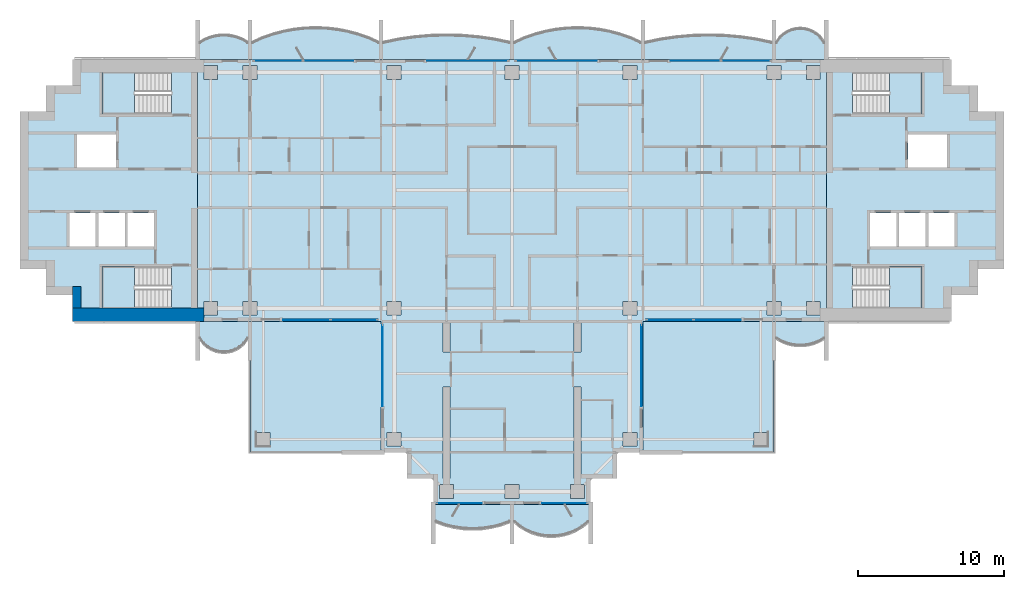
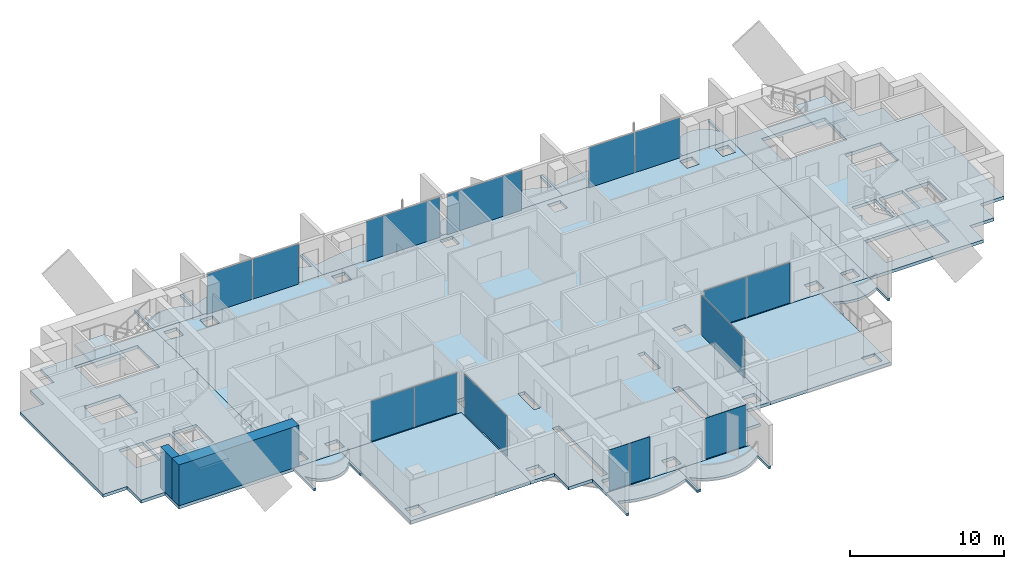
# One storey, part 7 of 17: 19 slabs, 14 plates, 2 walls, 14 elements without a shape of their own.
"""IFC4 building model written with IfcOpenShell, lengths in metres."""

import ifcopenshell
import ifcopenshell.guid

model = None  # the IFC model being written
_history = None  # IfcOwnerHistory: only IFC2X3 demands one
_inside = {}  # id of a spatial element -> (the spatial element, [elements in it])
_under = {}  # id of a project, library or spatial element -> (it, [spatial elements below it])
_declared = {}  # id of a project -> (the project, [libraries it declares])
_typed = {}  # id of a type object -> (the type object, [elements of that type])
_made_of = {}  # id of a material, layer set ... -> (it, [elements and type objects made of it])


def new_model(schema):
    """Start an empty IFC model of exactly this schema.

    Asked for "IFC4X3", IfcOpenShell would pick the latest addendum, in which some entities
    have other attributes; the version numbers below select the first issue.
    IFC2X3 requires an IfcOwnerHistory on every rooted entity: one is made here for all.
    """
    global model, _history
    if schema == "IFC4X3":
        model = ifcopenshell.file(schema_version=(4, 3, 0, 0))
    else:
        model = ifcopenshell.file(schema=schema)
    _inside.clear()
    _under.clear()
    _declared.clear()
    _typed.clear()
    _made_of.clear()
    _history = None
    if model.schema == "IFC2X3":
        org = make("IfcOrganization", Name="unknown")
        user = make(
            "IfcPersonAndOrganization",
            ThePerson=make("IfcPerson", FamilyName="unknown"),
            TheOrganization=org,
        )
        app = make(
            "IfcApplication",
            ApplicationDeveloper=org,
            Version="unknown",
            ApplicationFullName="unknown",
            ApplicationIdentifier="unknown",
        )
        _history = make(
            "IfcOwnerHistory",
            OwningUser=user,
            OwningApplication=app,
            ChangeAction="ADDED",
            CreationDate=0,
        )
    return model


def make(cls, **values):
    """One entity of the class cls with the attributes given. An attribute that is None is left unset."""
    return model.create_entity(
        cls, **{name: value for name, value in values.items() if value is not None}
    )


def rooted(cls, **values):
    """An entity with a GlobalId (a new one), such as an element, a storey or a relation."""
    return make(cls, GlobalId=ifcopenshell.guid.new(), OwnerHistory=_history, **values)


def si_unit(unit_type, name, prefix=None):
    """IfcSIUnit, for example si_unit("LENGTHUNIT", "METRE", prefix="MILLI")."""
    return make("IfcSIUnit", UnitType=unit_type, Prefix=prefix, Name=name)


def assignment(units):
    """IfcUnitAssignment: the units of a project."""
    return None if units is None else make("IfcUnitAssignment", Units=units)


def point(xyz):
    """IfcCartesianPoint."""
    return None if xyz is None else make("IfcCartesianPoint", Coordinates=xyz)


def direction(xyz):
    """IfcDirection."""
    return None if xyz is None else make("IfcDirection", DirectionRatios=xyz)


def frame(location, z_axis=None, x_axis=None):
    """IfcAxis2Placement3D, a coordinate frame: its origin and axes. An axis left out is left unset."""
    return make(
        "IfcAxis2Placement3D",
        Location=point(location),
        Axis=direction(z_axis),
        RefDirection=direction(x_axis),
    )


def frame_2d(location, x_axis=None):
    """IfcAxis2Placement2D, a coordinate frame in the plane: its origin and x axis."""
    return make(
        "IfcAxis2Placement2D", Location=point(location), RefDirection=direction(x_axis)
    )


def origin():
    """The frame at (0, 0, 0) with its axes left unset."""
    return frame((0.0, 0.0, 0.0))


def origin_2d():
    """The frame at (0, 0) in the plane with its x axis left unset."""
    return frame_2d((0.0, 0.0))


def place(relative_to, where):
    """IfcLocalPlacement: puts the frame where relative to a parent placement (None: the world)."""
    return make(
        "IfcLocalPlacement", PlacementRelTo=relative_to, RelativePlacement=where
    )


def context(
    kind, dimensions, precision=None, world=None, true_north=None, identifier=None
):
    """IfcGeometricRepresentationContext, for example the 3D "Model" context."""
    return make(
        "IfcGeometricRepresentationContext",
        ContextIdentifier=identifier,
        ContextType=kind,
        CoordinateSpaceDimension=dimensions,
        Precision=precision,
        WorldCoordinateSystem=world,
        TrueNorth=true_north,
    )


def subcontext(parent, identifier, kind, view, scale=None):
    """IfcGeometricRepresentationSubContext, for example "Body" below "Model"."""
    return make(
        "IfcGeometricRepresentationSubContext",
        ContextIdentifier=identifier,
        ContextType=kind,
        ParentContext=parent,
        TargetScale=scale,
        TargetView=view,
    )


def project(units=None, contexts=None):
    """IfcProject with its units and contexts."""
    return rooted(
        "IfcProject",
        Name="project",
        RepresentationContexts=contexts,
        UnitsInContext=assignment(units),
    )


def spatial(cls, under=None, at=None, **own):
    """A site, building, storey or space (cls), placed at a placement, below another one or the project."""
    s = rooted(cls, ObjectPlacement=at, **own)
    if under is not None:
        _under.setdefault(under.id(), (under, []))[1].append(s)
    return s


def polyline(points):
    """IfcPolyline through the points."""
    return make("IfcPolyline", Points=[point(p) for p in points])


def profile(cls, at=None, kind="AREA", **sizes):
    """A parametric profile (cls). Its sizes go by their IFC names, for example OverallWidth=200.0."""
    return make(cls, ProfileType=kind, Position=at, **sizes)


def rectangle(**sizes):
    """IfcRectangleProfileDef."""
    return profile("IfcRectangleProfileDef", **sizes)


def outline(outer, holes=None, kind="AREA"):
    """IfcArbitraryClosedProfileDef: a profile drawn as a closed curve; with holes, ...WithVoids."""
    if holes is None:
        return make("IfcArbitraryClosedProfileDef", ProfileType=kind, OuterCurve=outer)
    return make(
        "IfcArbitraryProfileDefWithVoids",
        ProfileType=kind,
        OuterCurve=outer,
        InnerCurves=holes,
    )


def extrude(swept, where, along, depth):
    """IfcExtrudedAreaSolid: the profile swept, set in the frame where, extruded along a direction by depth."""
    return make(
        "IfcExtrudedAreaSolid",
        SweptArea=swept,
        Position=where,
        ExtrudedDirection=direction(along),
        Depth=depth,
    )


def shape(context_of_items, identifier, shape_type, items):
    """IfcShapeRepresentation: the items that make up one representation, for example the "Body"."""
    return make(
        "IfcShapeRepresentation",
        ContextOfItems=context_of_items,
        RepresentationIdentifier=identifier,
        RepresentationType=shape_type,
        Items=items,
    )


def material(Name=None, Category=None):
    """IfcMaterial."""
    return make("IfcMaterial", Name=Name, Category=Category)


def layer(
    of_material, thickness, ventilated=None, Name=None, Category=None, Priority=None
):
    """IfcMaterialLayer: one layer of a wall or slab, of a material (None: an air gap)."""
    return make(
        "IfcMaterialLayer",
        Material=of_material,
        LayerThickness=thickness,
        IsVentilated=ventilated,
        Name=Name,
        Category=Category,
        Priority=Priority,
    )


def layer_set(layers, Name=None):
    """IfcMaterialLayerSet."""
    return make("IfcMaterialLayerSet", MaterialLayers=layers, LayerSetName=Name)


def made_of(thing, what):
    """Note that an element or type object is made of a material, layer set ...; save() writes the relation."""
    if what is not None:
        _made_of.setdefault(what.id(), (what, []))[1].append(thing)
    return thing


def type_object(cls, material=None, **own):
    """A type object (cls), such as IfcWallType, which elements share."""
    return made_of(rooted(cls, **own), material)


def element(
    cls,
    number,
    at=None,
    inside=None,
    cuts=None,
    type_object=None,
    material=None,
    context=None,
    identifier="Body",
    shape_type=None,
    held_by="IfcProductDefinitionShape",
    body=None,
    shapes=None,
    **own,
):
    """One element of the class cls, such as IfcWall. Its Tag is "e" and its number.

    at: its placement. inside: the storey or other place that contains it. cuts: it is an
    opening in that element (IfcRelVoidsElement). A single representation is given by context,
    identifier, shape_type and body (its items); several are given by shapes. held_by: the class
    of the entity that holds the representations. save() writes the other relations.
    """
    e = rooted(cls, Tag="e%d" % number, ObjectPlacement=at, **own)
    if body is not None:
        shapes = [shape(context, identifier, shape_type, body)]
    if shapes is not None:
        e.Representation = make(held_by, Representations=shapes)
    if inside is not None:
        _inside.setdefault(inside.id(), (inside, []))[1].append(e)
    if cuts is not None:
        rooted(
            "IfcRelVoidsElement", RelatingBuildingElement=cuts, RelatedOpeningElement=e
        )
    if type_object is not None:
        _typed.setdefault(type_object.id(), (type_object, []))[1].append(e)
    return made_of(e, material)


def aggregate(whole, parts):
    """IfcRelAggregates: a whole, such as a stair, and the parts it consists of."""
    return rooted("IfcRelAggregates", RelatingObject=whole, RelatedObjects=parts)


def save(model, path):
    """Write the relations noted so far, then the file.

    IfcRelAggregates (storeys below a building ...), IfcRelContainedInSpatialStructure (elements
    in a storey), IfcRelDefinesByType, IfcRelAssociatesMaterial and IfcRelDeclares: one each for
    every whole, place, type object, material and project.
    """
    for whole, parts in _under.values():
        aggregate(whole, parts)
    for where, things in _inside.values():
        rooted(
            "IfcRelContainedInSpatialStructure",
            RelatedElements=things,
            RelatingStructure=where,
        )
    for kind, things in _typed.values():
        rooted("IfcRelDefinesByType", RelatedObjects=things, RelatingType=kind)
    for what, things in _made_of.values():
        rooted("IfcRelAssociatesMaterial", RelatedObjects=things, RelatingMaterial=what)
    for by, libraries in _declared.values():
        rooted("IfcRelDeclares", RelatingContext=by, RelatedDefinitions=libraries)
    model.write(path)


model = new_model("IFC4")

# Units and contexts
model_context = context("Model", 3, precision=1e-05, world=origin(), true_north=direction((0.0, 1.0)))
body_context = subcontext(model_context, "Body", "Model", "MODEL_VIEW")
ifc_project = project(units=[si_unit("LENGTHUNIT", "METRE"), si_unit("AREAUNIT", "SQUARE_METRE"), si_unit("VOLUMEUNIT", "CUBIC_METRE"), si_unit("PLANEANGLEUNIT", "RADIAN"), si_unit("MASSUNIT", "GRAM", prefix="KILO")], contexts=[model_context])

# Site, building, storey
site_placement = place(None, origin())
site = spatial("IfcSite", under=ifc_project, at=site_placement, CompositionType="ELEMENT")
building_placement = place(site_placement, origin())
building = spatial("IfcBuilding", under=site, at=building_placement, Name="Perihelion Cross Residences", CompositionType="ELEMENT")
storey_placement = place(building_placement, frame((0.0, 0.0, 208.60009765625)))
storey = spatial("IfcBuildingStorey", under=building, at=storey_placement, Name="L52", CompositionType="ELEMENT", Elevation=208.60009765625)

# Slabs
ifc_material_1 = material(Name="Concrete C40/50", Category="concrete")
ifc_layer_1 = layer(ifc_material_1, 0.199951171875)
ifc_layer_set_1 = layer_set([ifc_layer_1], Name="Balcony slab 200")
slab_type_1 = type_object("IfcSlabType", Name="Balcony slab 200", PredefinedType="FLOOR", material=ifc_layer_set_1)
slab_1_placement = place(storey_placement, frame((0.0, 0.0, -0.2001953125)))
element("IfcSlab", 1, at=slab_1_placement, inside=storey, type_object=slab_type_1, Name="Slab BK1 L52 east side north bay 1 balcony", PredefinedType="FLOOR", context=body_context, shape_type="SweptSolid", body=[
    extrude(outline(polyline([(21.60009765625, 9.0), (18.0, 9.0), (18.0, 11.699951171875), (18.14990234375, 11.699951171875), (18.14990234375, 10.199951171875), (18.425048828125, 10.568603515625), (18.699951171875, 10.806396484375), (18.97509765625, 10.96875), (19.25, 11.07568359375), (19.52490234375, 11.136962890625), (19.800048828125, 11.156982421875), (20.074951171875, 11.136962890625), (20.35009765625, 11.07568359375), (20.625, 10.96875), (20.89990234375, 10.806396484375), (21.175048828125, 10.568603515625), (21.449951171875, 10.199951171875), (21.449951171875, 11.699951171875), (21.60009765625, 11.699951171875), (21.60009765625, 9.0)])), origin(), (0.0, 0.0, 1.0), 0.2001953125),
])
slab_2_placement = place(storey_placement, frame((0.0, 0.0, -0.2001953125)))
element("IfcSlab", 2, at=slab_2_placement, inside=storey, type_object=slab_type_1, Name="Slab BK1 L52 east side north bay 2 balcony", PredefinedType="FLOOR", context=body_context, shape_type="SweptSolid", body=[
    extrude(outline(polyline([(18.0, 9.0), (9.0, 9.0), (9.0, 11.699951171875), (9.14990234375, 11.699951171875), (9.14990234375, 10.199951171875), (10.237548828125, 10.42041015625), (11.324951171875, 10.576171875), (12.41259765625, 10.669189453125), (13.5, 10.699951171875), (14.58740234375, 10.669189453125), (15.675048828125, 10.576171875), (16.762451171875, 10.42041015625), (17.85009765625, 10.199951171875), (17.85009765625, 11.699951171875), (18.0, 11.699951171875), (18.0, 9.0)])), origin(), (0.0, 0.0, 1.0), 0.2001953125),
])
slab_3_placement = place(storey_placement, frame((0.0, 0.0, -0.2001953125)))
element("IfcSlab", 3, at=slab_3_placement, inside=storey, type_object=slab_type_1, Name="Slab BK1 L52 north side east bay 1 balcony", PredefinedType="FLOOR", context=body_context, shape_type="SweptSolid", body=[
    extrude(outline(polyline([(9.0, 9.0), (0.0, 9.0), (0.0, 11.699951171875), (0.14990234375, 11.699951171875), (0.14990234375, 10.199951171875), (0.875, 10.51708984375), (1.60009765625, 10.7685546875), (2.324951171875, 10.959716796875), (3.050048828125, 11.093994140625), (3.77490234375, 11.173583984375), (4.5, 11.199951171875), (5.22509765625, 11.173583984375), (5.949951171875, 11.093994140625), (6.675048828125, 10.959716796875), (7.39990234375, 10.7685546875), (8.125, 10.51708984375), (8.85009765625, 10.199951171875), (8.85009765625, 11.699951171875), (9.0, 11.699951171875), (9.0, 9.0)])), origin(), (0.0, 0.0, 1.0), 0.2001953125),
])
slab_4_placement = place(storey_placement, frame((0.0, 0.0, -0.2001953125)))
element("IfcSlab", 4, at=slab_4_placement, inside=storey, type_object=slab_type_1, Name="Slab BK1 L52 north side east bay 2 balcony", PredefinedType="FLOOR", context=body_context, shape_type="SweptSolid", body=[
    extrude(outline(polyline([(0.0, 9.0), (-9.0, 9.0), (-9.0, 11.699951171875), (-8.85009765625, 11.699951171875), (-8.85009765625, 10.199951171875), (-7.762451171875, 10.42041015625), (-6.675048828125, 10.576171875), (-5.58740234375, 10.669189453125), (-4.5, 10.699951171875), (-3.41259765625, 10.669189453125), (-2.324951171875, 10.576171875), (-1.237548828125, 10.42041015625), (-0.14990234375, 10.199951171875), (-0.14990234375, 11.699951171875), (0.0, 11.699951171875), (0.0, 9.0)])), origin(), (0.0, 0.0, 1.0), 0.2001953125),
])
slab_5_placement = place(storey_placement, frame((0.0, 0.0, -0.2001953125)))
element("IfcSlab", 5, at=slab_5_placement, inside=storey, type_object=slab_type_1, Name="Slab BK1 L52 west side north bay 1 balcony", PredefinedType="FLOOR", context=body_context, shape_type="SweptSolid", body=[
    extrude(outline(polyline([(-9.0, 9.0), (-18.0, 9.0), (-18.0, 11.699951171875), (-17.85009765625, 11.699951171875), (-17.85009765625, 10.199951171875), (-17.125, 10.51708984375), (-16.39990234375, 10.7685546875), (-15.675048828125, 10.959716796875), (-14.949951171875, 11.093994140625), (-14.22509765625, 11.173583984375), (-13.5, 11.199951171875), (-12.77490234375, 11.173583984375), (-12.050048828125, 11.093994140625), (-11.324951171875, 10.959716796875), (-10.60009765625, 10.7685546875), (-9.875, 10.51708984375), (-9.14990234375, 10.199951171875), (-9.14990234375, 11.699951171875), (-9.0, 11.699951171875), (-9.0, 9.0)])), origin(), (0.0, 0.0, 1.0), 0.2001953125),
])
slab_6_placement = place(storey_placement, frame((0.0, 0.0, -0.2001953125)))
element("IfcSlab", 6, at=slab_6_placement, inside=storey, type_object=slab_type_1, Name="Slab BK1 L52 west side north bay 2 balcony", PredefinedType="FLOOR", context=body_context, shape_type="SweptSolid", body=[
    extrude(outline(polyline([(-18.0, 9.0), (-21.60009765625, 9.0), (-21.60009765625, 11.699951171875), (-21.449951171875, 11.699951171875), (-21.449951171875, 10.199951171875), (-21.083251953125, 10.40869140625), (-20.716552734375, 10.55517578125), (-20.35009765625, 10.648681640625), (-19.9833984375, 10.6943359375), (-19.61669921875, 10.6943359375), (-19.25, 10.648681640625), (-18.88330078125, 10.55517578125), (-18.5166015625, 10.40869140625), (-18.14990234375, 10.199951171875), (-18.14990234375, 11.699951171875), (-18.0, 11.699951171875), (-18.0, 9.0)])), origin(), (0.0, 0.0, 1.0), 0.2001953125),
])
slab_7_placement = place(storey_placement, frame((0.0, 0.0, -0.2001953125)))
element("IfcSlab", 7, at=slab_7_placement, inside=storey, type_object=slab_type_1, Name="Slab BK1 L52 west side south bay 1 balcony", PredefinedType="FLOOR", context=body_context, shape_type="SweptSolid", body=[
    extrude(outline(polyline([(-21.60009765625, -9.0), (-18.0, -9.0), (-18.0, -11.699951171875), (-18.14990234375, -11.699951171875), (-18.14990234375, -10.199951171875), (-18.425048828125, -10.568603515625), (-18.699951171875, -10.806396484375), (-18.97509765625, -10.96875), (-19.25, -11.07568359375), (-19.52490234375, -11.136962890625), (-19.800048828125, -11.156982421875), (-20.074951171875, -11.136962890625), (-20.35009765625, -11.07568359375), (-20.625, -10.96875), (-20.89990234375, -10.806396484375), (-21.175048828125, -10.568603515625), (-21.449951171875, -10.199951171875), (-21.449951171875, -11.699951171875), (-21.60009765625, -11.699951171875), (-21.60009765625, -9.0)])), origin(), (0.0, 0.0, 1.0), 0.2001953125),
])
slab_8_placement = place(storey_placement, frame((0.0, 0.0, -0.2001953125)))
element("IfcSlab", 8, at=slab_8_placement, inside=storey, type_object=slab_type_1, Name="Slab BK1 L52 south tip south bay 1 balcony", PredefinedType="FLOOR", context=body_context, shape_type="SweptSolid", body=[
    extrude(outline(polyline([(-5.39990234375, -21.60009765625), (0.0, -21.60009765625), (0.0, -24.300048828125), (-0.14990234375, -24.300048828125), (-0.14990234375, -22.800048828125), (-0.78759765625, -23.0234375), (-1.425048828125, -23.178466796875), (-2.0625, -23.269775390625), (-2.699951171875, -23.300048828125), (-3.33740234375, -23.269775390625), (-3.97509765625, -23.178466796875), (-4.612548828125, -23.0234375), (-5.25, -22.800048828125), (-5.25, -24.300048828125), (-5.39990234375, -24.300048828125), (-5.39990234375, -21.60009765625)])), origin(), (0.0, 0.0, 1.0), 0.2001953125),
])
slab_9_placement = place(storey_placement, frame((0.0, 0.0, -0.2001953125)))
element("IfcSlab", 9, at=slab_9_placement, inside=storey, type_object=slab_type_1, Name="Slab BK1 L52 south tip south bay 2 balcony", PredefinedType="FLOOR", context=body_context, shape_type="SweptSolid", body=[
    extrude(outline(polyline([(0.0, -21.60009765625), (5.39990234375, -21.60009765625), (5.39990234375, -24.300048828125), (5.25, -24.300048828125), (5.25, -22.800048828125), (4.824951171875, -23.14013671875), (4.39990234375, -23.392578125), (3.97509765625, -23.57666015625), (3.550048828125, -23.702392578125), (3.125, -23.77587890625), (2.699951171875, -23.800048828125), (2.27490234375, -23.77587890625), (1.85009765625, -23.702392578125), (1.425048828125, -23.57666015625), (1.0, -23.392578125), (0.574951171875, -23.14013671875), (0.14990234375, -22.800048828125), (0.14990234375, -24.300048828125), (0.0, -24.300048828125), (0.0, -21.60009765625)])), origin(), (0.0, 0.0, 1.0), 0.2001953125),
])
slab_10_placement = place(storey_placement, frame((0.0, 0.0, -0.2001953125)))
element("IfcSlab", 10, at=slab_10_placement, inside=storey, type_object=slab_type_1, Name="Slab BK1 L52 east side south bay 2 balcony", PredefinedType="FLOOR", context=body_context, shape_type="SweptSolid", body=[
    extrude(outline(polyline([(18.0, -9.0), (21.60009765625, -9.0), (21.60009765625, -11.699951171875), (21.449951171875, -11.699951171875), (21.449951171875, -10.199951171875), (21.083251953125, -10.40869140625), (20.716552734375, -10.55517578125), (20.35009765625, -10.648681640625), (19.9833984375, -10.6943359375), (19.61669921875, -10.6943359375), (19.25, -10.648681640625), (18.88330078125, -10.55517578125), (18.5166015625, -10.40869140625), (18.14990234375, -10.199951171875), (18.14990234375, -11.699951171875), (18.0, -11.699951171875), (18.0, -9.0)])), origin(), (0.0, 0.0, 1.0), 0.2001953125),
])

# Curtain wall, plates
ifc_material_2 = material(Name="Bronze anodised aluminium, tinted glazing", Category="aluminium")
curtain_wall_type = type_object("IfcCurtainWallType", Name="CW1", PredefinedType="NOTDEFINED", material=ifc_material_2)
curtain_wall_1_placement = place(storey_placement, origin())
curtain_wall_1 = element("IfcCurtainWall", 11, at=curtain_wall_1_placement, inside=storey, type_object=curtain_wall_type, Name="Curtain wall CW1 L52 east side north bay 2", PredefinedType="NOTDEFINED")
ifc_material_3 = material(Name="Tinted laminated glass", Category="glass")
ifc_layer_2 = layer(ifc_material_3, 0.028076171875)
ifc_layer_set_2 = layer_set([ifc_layer_2], Name="CW1 panel")
plate_type = type_object("IfcPlateType", Name="CW1 panel", PredefinedType="CURTAIN_PANEL", material=ifc_layer_set_2)
plate_1_placement = place(storey_placement, frame((16.06005859375, 8.89990234375, 0.0), z_axis=(0.0, 0.0, 1.0), x_axis=(-1.0, 0.0, 0.0)))
plate_1 = element("IfcPlate", 12, at=plate_1_placement, type_object=plate_type, Name="CW1 panel 1", PredefinedType="CURTAIN_PANEL", context=body_context, shape_type="SweptSolid", body=[
    extrude(rectangle(XDim=3.360107421875, YDim=0.028076171875, at=origin_2d()), origin(), (0.0, 0.0, 1.0), 3.18994140625),
])
plate_2_placement = place(storey_placement, frame((12.610107421875, 8.89990234375, 0.0), z_axis=(0.0, 0.0, 1.0), x_axis=(-1.0, 0.0, 0.0)))
plate_2 = element("IfcPlate", 13, at=plate_2_placement, type_object=plate_type, Name="CW1 panel 2", PredefinedType="CURTAIN_PANEL", context=body_context, shape_type="SweptSolid", body=[
    extrude(rectangle(XDim=3.419921875, YDim=0.028076171875, at=origin_2d()), origin(), (0.0, 0.0, 1.0), 3.18994140625),
])
aggregate(curtain_wall_1, [plate_1, plate_2])

# Curtain wall, plate
curtain_wall_2_placement = place(storey_placement, origin())
curtain_wall_2 = element("IfcCurtainWall", 14, at=curtain_wall_2_placement, inside=storey, type_object=curtain_wall_type, Name="Curtain wall CW1 L52 north side east bay 1", PredefinedType="NOTDEFINED")
plate_3_placement = place(storey_placement, frame((3.04248046875, 8.89990234375, 0.0), z_axis=(0.0, 0.0, 1.0), x_axis=(-1.0, 0.0, 0.0)))
plate_3 = element("IfcPlate", 15, at=plate_3_placement, type_object=plate_type, Name="CW1 panel 1", PredefinedType="CURTAIN_PANEL", context=body_context, shape_type="SweptSolid", body=[
    extrude(rectangle(XDim=5.56494140625, YDim=0.028076171875, at=origin_2d()), origin(), (0.0, 0.0, 1.0), 3.18994140625),
])
aggregate(curtain_wall_2, [plate_3])

curtain_wall_3_placement = place(storey_placement, origin())
curtain_wall_3 = element("IfcCurtainWall", 16, at=curtain_wall_3_placement, inside=storey, type_object=curtain_wall_type, Name="Curtain wall CW1 L52 north side east bay 2", PredefinedType="NOTDEFINED")
plate_4_placement = place(storey_placement, frame((-3.04248046875, 8.89990234375, 0.0), z_axis=(0.0, 0.0, 1.0), x_axis=(-1.0, 0.0, 0.0)))
plate_4 = element("IfcPlate", 17, at=plate_4_placement, type_object=plate_type, Name="CW1 panel 1", PredefinedType="CURTAIN_PANEL", context=body_context, shape_type="SweptSolid", body=[
    extrude(rectangle(XDim=5.56494140625, YDim=0.028076171875, at=origin_2d()), origin(), (0.0, 0.0, 1.0), 3.18994140625),
])
aggregate(curtain_wall_3, [plate_4])

# Curtain wall, plates
curtain_wall_4_placement = place(storey_placement, origin())
curtain_wall_4 = element("IfcCurtainWall", 18, at=curtain_wall_4_placement, inside=storey, type_object=curtain_wall_type, Name="Curtain wall CW1 L52 west side north bay 1", PredefinedType="NOTDEFINED")
plate_5_placement = place(storey_placement, frame((-12.610107421875, 8.89990234375, 0.0), z_axis=(0.0, 0.0, 1.0), x_axis=(-1.0, 0.0, 0.0)))
plate_5 = element("IfcPlate", 19, at=plate_5_placement, type_object=plate_type, Name="CW1 panel 1", PredefinedType="CURTAIN_PANEL", context=body_context, shape_type="SweptSolid", body=[
    extrude(rectangle(XDim=3.419921875, YDim=0.028076171875, at=origin_2d()), origin(), (0.0, 0.0, 1.0), 3.18994140625),
])
plate_6_placement = place(storey_placement, frame((-16.06005859375, 8.89990234375, 0.0), z_axis=(0.0, 0.0, 1.0), x_axis=(-1.0, 0.0, 0.0)))
plate_6 = element("IfcPlate", 20, at=plate_6_placement, type_object=plate_type, Name="CW1 panel 2", PredefinedType="CURTAIN_PANEL", context=body_context, shape_type="SweptSolid", body=[
    extrude(rectangle(XDim=3.360107421875, YDim=0.028076171875, at=origin_2d()), origin(), (0.0, 0.0, 1.0), 3.18994140625),
])
aggregate(curtain_wall_4, [plate_5, plate_6])

curtain_wall_5_placement = place(storey_placement, origin())
curtain_wall_5 = element("IfcCurtainWall", 21, at=curtain_wall_5_placement, inside=storey, type_object=curtain_wall_type, Name="Curtain wall CW1 L52 west side south bay 2", PredefinedType="NOTDEFINED")
plate_7_placement = place(storey_placement, frame((-14.108642578125, -8.89990234375, 0.0), z_axis=(0.0, 0.0, 1.0), x_axis=(1.0, 0.0, 0.0)))
plate_7 = element("IfcPlate", 22, at=plate_7_placement, type_object=plate_type, Name="CW1 panel 1", PredefinedType="CURTAIN_PANEL", context=body_context, shape_type="SweptSolid", body=[
    extrude(rectangle(XDim=3.232421875, YDim=0.028076171875, at=origin_2d()), origin(), (0.0, 0.0, 1.0), 3.18994140625),
])
plate_8_placement = place(storey_placement, frame((-10.84619140625, -8.89990234375, 0.0), z_axis=(0.0, 0.0, 1.0), x_axis=(1.0, 0.0, 0.0)))
plate_8 = element("IfcPlate", 23, at=plate_8_placement, type_object=plate_type, Name="CW1 panel 2", PredefinedType="CURTAIN_PANEL", context=body_context, shape_type="SweptSolid", body=[
    extrude(rectangle(XDim=3.172607421875, YDim=0.028076171875, at=origin_2d()), origin(), (0.0, 0.0, 1.0), 3.18994140625),
])
aggregate(curtain_wall_5, [plate_7, plate_8])

# Curtain wall, plate
curtain_wall_6_placement = place(storey_placement, origin())
curtain_wall_6 = element("IfcCurtainWall", 24, at=curtain_wall_6_placement, inside=storey, type_object=curtain_wall_type, Name="Curtain wall CW1 L52 south side west bay 1", PredefinedType="NOTDEFINED")
plate_9_placement = place(storey_placement, frame((-8.89990234375, -12.04248046875, 0.0), z_axis=(0.0, 0.0, 1.0), x_axis=(0.0, -1.0, 0.0)))
plate_9 = element("IfcPlate", 25, at=plate_9_placement, type_object=plate_type, Name="CW1 panel 1", PredefinedType="CURTAIN_PANEL", context=body_context, shape_type="SweptSolid", body=[
    extrude(rectangle(XDim=5.56494140625, YDim=0.028076171875, at=origin_2d()), origin(), (0.0, 0.0, 1.0), 3.18994140625),
])
aggregate(curtain_wall_6, [plate_9])

curtain_wall_7_placement = place(storey_placement, origin())
curtain_wall_7 = element("IfcCurtainWall", 26, at=curtain_wall_7_placement, inside=storey, type_object=curtain_wall_type, Name="Curtain wall CW1 L52 south tip south bay 1", PredefinedType="NOTDEFINED")
plate_10_placement = place(storey_placement, frame((-3.607421875, -21.5, 0.0), z_axis=(0.0, 0.0, 1.0), x_axis=(1.0, 0.0, 0.0)))
plate_10 = element("IfcPlate", 27, at=plate_10_placement, type_object=plate_type, Name="CW1 panel 1", PredefinedType="CURTAIN_PANEL", context=body_context, shape_type="SweptSolid", body=[
    extrude(rectangle(XDim=3.06494140625, YDim=0.028076171875, at=origin_2d()), origin(), (0.0, 0.0, 1.0), 3.25),
])
aggregate(curtain_wall_7, [plate_10])

curtain_wall_8_placement = place(storey_placement, origin())
curtain_wall_8 = element("IfcCurtainWall", 28, at=curtain_wall_8_placement, inside=storey, type_object=curtain_wall_type, Name="Curtain wall CW1 L52 south tip south bay 2", PredefinedType="NOTDEFINED")
plate_11_placement = place(storey_placement, frame((3.607421875, -21.5, 0.0), z_axis=(0.0, 0.0, 1.0), x_axis=(1.0, 0.0, 0.0)))
plate_11 = element("IfcPlate", 29, at=plate_11_placement, type_object=plate_type, Name="CW1 panel 1", PredefinedType="CURTAIN_PANEL", context=body_context, shape_type="SweptSolid", body=[
    extrude(rectangle(XDim=3.06494140625, YDim=0.028076171875, at=origin_2d()), origin(), (0.0, 0.0, 1.0), 3.25),
])
aggregate(curtain_wall_8, [plate_11])

curtain_wall_9_placement = place(storey_placement, origin())
curtain_wall_9 = element("IfcCurtainWall", 30, at=curtain_wall_9_placement, inside=storey, type_object=curtain_wall_type, Name="Curtain wall CW1 L52 south side east bay 1", PredefinedType="NOTDEFINED")
plate_12_placement = place(storey_placement, frame((8.89990234375, -12.04248046875, 0.0), z_axis=(0.0, 0.0, 1.0), x_axis=(0.0, 1.0, 0.0)))
plate_12 = element("IfcPlate", 31, at=plate_12_placement, type_object=plate_type, Name="CW1 panel 1", PredefinedType="CURTAIN_PANEL", context=body_context, shape_type="SweptSolid", body=[
    extrude(rectangle(XDim=5.56494140625, YDim=0.028076171875, at=origin_2d()), origin(), (0.0, 0.0, 1.0), 3.18994140625),
])
aggregate(curtain_wall_9, [plate_12])

# Curtain wall, plates
curtain_wall_10_placement = place(storey_placement, origin())
curtain_wall_10 = element("IfcCurtainWall", 32, at=curtain_wall_10_placement, inside=storey, type_object=curtain_wall_type, Name="Curtain wall CW1 L52 east side south bay 1", PredefinedType="NOTDEFINED")
plate_13_placement = place(storey_placement, frame((10.84619140625, -8.89990234375, 0.0), z_axis=(0.0, 0.0, 1.0), x_axis=(1.0, 0.0, 0.0)))
plate_13 = element("IfcPlate", 33, at=plate_13_placement, type_object=plate_type, Name="CW1 panel 1", PredefinedType="CURTAIN_PANEL", context=body_context, shape_type="SweptSolid", body=[
    extrude(rectangle(XDim=3.172607421875, YDim=0.028076171875, at=origin_2d()), origin(), (0.0, 0.0, 1.0), 3.18994140625),
])
plate_14_placement = place(storey_placement, frame((14.108642578125, -8.89990234375, 0.0), z_axis=(0.0, 0.0, 1.0), x_axis=(1.0, 0.0, 0.0)))
plate_14 = element("IfcPlate", 34, at=plate_14_placement, type_object=plate_type, Name="CW1 panel 2", PredefinedType="CURTAIN_PANEL", context=body_context, shape_type="SweptSolid", body=[
    extrude(rectangle(XDim=3.232421875, YDim=0.028076171875, at=origin_2d()), origin(), (0.0, 0.0, 1.0), 3.18994140625),
])
aggregate(curtain_wall_10, [plate_13, plate_14])

# Slabs
ifc_material_4 = material(Name="Concrete C40/50", Category="concrete")
ifc_layer_3 = layer(ifc_material_4, 0.25)
ifc_layer_set_3 = layer_set([ifc_layer_3], Name="Core floor slab 250")
slab_type_2 = type_object("IfcSlabType", Name="Core floor slab 250", PredefinedType="FLOOR", material=ifc_layer_set_3)
slab_11_placement = place(storey_placement, frame((0.0, 0.0, -0.25)))
element("IfcSlab", 35, at=slab_11_placement, inside=storey, type_object=slab_type_2, Name="East core floor slab", PredefinedType="FLOOR", context=body_context, shape_type="SweptSolid", body=[
    extrude(outline(polyline([(30.199951171875, 7.199951171875), (32.0, 7.199951171875), (32.0, 5.39990234375), (33.800048828125, 5.39990234375), (33.800048828125, -5.39990234375), (32.0, -5.39990234375), (32.0, -7.199951171875), (30.199951171875, -7.199951171875), (30.199951171875, -9.0), (21.60009765625, -9.0), (21.60009765625, 9.0), (30.199951171875, 9.0), (30.199951171875, 7.199951171875)]), holes=[polyline([(28.14990234375, -8.10009765625), (28.14990234375, -5.25), (23.405029296875, -5.25), (23.405029296875, -8.10009765625), (28.14990234375, -8.10009765625)]), polyline([(24.60009765625, -1.550048828125), (24.60009765625, -3.85009765625), (26.39990234375, -3.85009765625), (26.39990234375, -1.550048828125), (24.60009765625, -1.550048828125)]), polyline([(26.60009765625, -1.550048828125), (26.60009765625, -3.85009765625), (28.39990234375, -3.85009765625), (28.39990234375, -1.550048828125), (26.60009765625, -1.550048828125)]), polyline([(28.60009765625, -3.85009765625), (30.39990234375, -3.85009765625), (30.39990234375, -1.550048828125), (28.60009765625, -1.550048828125), (28.60009765625, -3.85009765625)]), polyline([(27.199951171875, 3.85009765625), (27.199951171875, 1.550048828125), (29.89990234375, 1.550048828125), (29.89990234375, 3.85009765625), (27.199951171875, 3.85009765625)]), polyline([(23.405029296875, 5.25), (28.14990234375, 5.25), (28.14990234375, 8.10009765625), (23.405029296875, 8.10009765625), (23.405029296875, 5.25)])]), origin(), (0.0, 0.0, 1.0), 0.25),
])
slab_12_placement = place(storey_placement, frame((0.0, 0.0, -0.25)))
element("IfcSlab", 36, at=slab_12_placement, inside=storey, type_object=slab_type_2, Name="West core floor slab", PredefinedType="FLOOR", context=body_context, shape_type="SweptSolid", body=[
    extrude(outline(polyline([(-30.199951171875, 7.199951171875), (-32.0, 7.199951171875), (-32.0, 5.39990234375), (-33.800048828125, 5.39990234375), (-33.800048828125, -5.39990234375), (-32.0, -5.39990234375), (-32.0, -7.199951171875), (-30.199951171875, -7.199951171875), (-30.199951171875, -9.0), (-21.60009765625, -9.0), (-21.60009765625, 9.0), (-30.199951171875, 9.0), (-30.199951171875, 7.199951171875)]), holes=[polyline([(-28.14990234375, -8.10009765625), (-28.14990234375, -5.25), (-23.405029296875, -5.25), (-23.405029296875, -8.10009765625), (-28.14990234375, -8.10009765625)]), polyline([(-24.60009765625, -1.550048828125), (-24.60009765625, -3.85009765625), (-26.39990234375, -3.85009765625), (-26.39990234375, -1.550048828125), (-24.60009765625, -1.550048828125)]), polyline([(-26.60009765625, -1.550048828125), (-26.60009765625, -3.85009765625), (-28.39990234375, -3.85009765625), (-28.39990234375, -1.550048828125), (-26.60009765625, -1.550048828125)]), polyline([(-28.60009765625, -3.85009765625), (-30.39990234375, -3.85009765625), (-30.39990234375, -1.550048828125), (-28.60009765625, -1.550048828125), (-28.60009765625, -3.85009765625)]), polyline([(-27.199951171875, 3.85009765625), (-27.199951171875, 1.550048828125), (-29.89990234375, 1.550048828125), (-29.89990234375, 3.85009765625), (-27.199951171875, 3.85009765625)]), polyline([(-23.405029296875, 5.25), (-28.14990234375, 5.25), (-28.14990234375, 8.10009765625), (-23.405029296875, 8.10009765625), (-23.405029296875, 5.25)])]), origin(), (0.0, 0.0, 1.0), 0.25),
])
ifc_material_5 = material(Name="Concrete C40/50", Category="concrete")
ifc_layer_4 = layer(ifc_material_5, 0.25)
ifc_layer_set_4 = layer_set([ifc_layer_4], Name="Corner terrace slab")
slab_type_3 = type_object("IfcSlabType", Name="Corner terrace slab", PredefinedType="FLOOR", material=ifc_layer_set_4)
slab_13_placement = place(storey_placement, frame((0.0, 0.0, -0.25)))
element("IfcSlab", 37, at=slab_13_placement, inside=storey, type_object=slab_type_3, Name="Slab BK2 L52 pocket south-west", PredefinedType="FLOOR", context=body_context, shape_type="SweptSolid", body=[
    extrude(outline(polyline([(-9.0, -18.0), (-9.0, -9.0), (-18.0, -9.0), (-18.0, -18.0), (-9.0, -18.0)]), holes=[polyline([(-16.625, -17.614990234375), (-17.614990234375, -17.614990234375), (-17.614990234375, -16.5849609375), (-17.574951171875, -16.5849609375), (-17.574951171875, -16.625), (-16.625, -16.625), (-16.625, -17.614990234375)])]), origin(), (0.0, 0.0, 1.0), 0.25),
])
slab_14_placement = place(storey_placement, frame((0.0, 0.0, -0.25)))
element("IfcSlab", 38, at=slab_14_placement, inside=storey, type_object=slab_type_3, Name="Slab BK2 L52 pocket south-east", PredefinedType="FLOOR", context=body_context, shape_type="SweptSolid", body=[
    extrude(outline(polyline([(18.0, -18.0), (18.0, -9.0), (9.0, -9.0), (9.0, -18.0), (18.0, -18.0)]), holes=[polyline([(16.625, -17.614990234375), (16.625, -16.625), (17.574951171875, -16.625), (17.574951171875, -16.5849609375), (17.614990234375, -16.5849609375), (17.614990234375, -17.614990234375), (16.625, -17.614990234375)])]), origin(), (0.0, 0.0, 1.0), 0.25),
])

# Stair, slab
ifc_material_6 = material(Name="Concrete C40/50", Category="concrete")
stair_type = type_object("IfcStairType", Name="Exit stair, half-turn", PredefinedType="HALF_TURN_STAIR", material=ifc_material_6)
stair_1_placement = place(storey_placement, origin())
stair_1 = element("IfcStair", 39, at=stair_1_placement, inside=storey, type_object=stair_type, Name="L52 East core exit stair 1", PredefinedType="HALF_TURN_STAIR")
ifc_material_7 = material(Name="Concrete C40/50", Category="concrete")
ifc_layer_5 = layer(ifc_material_7, 0.199951171875)
ifc_layer_set_5 = layer_set([ifc_layer_5], Name="Exit stair landing 200")
slab_type_4 = type_object("IfcSlabType", Name="Exit stair landing 200", PredefinedType="LANDING", material=ifc_layer_set_5)
slab_15_placement = place(storey_placement, frame((0.0, 0.0, 1.5498046875)))
slab_15 = element("IfcSlab", 40, at=slab_15_placement, type_object=slab_type_4, Name="ST-E1 landing 1", PredefinedType="LANDING", context=body_context, shape_type="SweptSolid", body=[
    extrude(outline(polyline([(25.919921875, 5.25), (28.14990234375, 5.25), (28.14990234375, 8.10009765625), (25.919921875, 8.10009765625), (25.919921875, 5.25)])), origin(), (0.0, 0.0, 1.0), 0.2001953125),
])
aggregate(stair_1, [slab_15])

stair_2_placement = place(storey_placement, origin())
stair_2 = element("IfcStair", 41, at=stair_2_placement, inside=storey, type_object=stair_type, Name="L52 East core exit stair 2", PredefinedType="HALF_TURN_STAIR")
slab_16_placement = place(storey_placement, frame((0.0, 0.0, 1.5498046875)))
slab_16 = element("IfcSlab", 42, at=slab_16_placement, type_object=slab_type_4, Name="ST-E2 landing 1", PredefinedType="LANDING", context=body_context, shape_type="SweptSolid", body=[
    extrude(outline(polyline([(25.919921875, -8.10009765625), (28.14990234375, -8.10009765625), (28.14990234375, -5.25), (25.919921875, -5.25), (25.919921875, -8.10009765625)])), origin(), (0.0, 0.0, 1.0), 0.2001953125),
])
aggregate(stair_2, [slab_16])

stair_3_placement = place(storey_placement, origin())
stair_3 = element("IfcStair", 43, at=stair_3_placement, inside=storey, type_object=stair_type, Name="L52 West core exit stair 1", PredefinedType="HALF_TURN_STAIR")
slab_17_placement = place(storey_placement, frame((0.0, 0.0, 1.5498046875)))
slab_17 = element("IfcSlab", 44, at=slab_17_placement, type_object=slab_type_4, Name="ST-W1 landing 1", PredefinedType="LANDING", context=body_context, shape_type="SweptSolid", body=[
    extrude(outline(polyline([(-25.919921875, 8.10009765625), (-28.14990234375, 8.10009765625), (-28.14990234375, 5.25), (-25.919921875, 5.25), (-25.919921875, 8.10009765625)])), origin(), (0.0, 0.0, 1.0), 0.2001953125),
])
aggregate(stair_3, [slab_17])

stair_4_placement = place(storey_placement, origin())
stair_4 = element("IfcStair", 45, at=stair_4_placement, inside=storey, type_object=stair_type, Name="L52 West core exit stair 2", PredefinedType="HALF_TURN_STAIR")
slab_18_placement = place(storey_placement, frame((0.0, 0.0, 1.5498046875)))
slab_18 = element("IfcSlab", 46, at=slab_18_placement, type_object=slab_type_4, Name="ST-W2 landing 1", PredefinedType="LANDING", context=body_context, shape_type="SweptSolid", body=[
    extrude(outline(polyline([(-25.919921875, -5.25), (-28.14990234375, -5.25), (-28.14990234375, -8.10009765625), (-25.919921875, -8.10009765625), (-25.919921875, -5.25)])), origin(), (0.0, 0.0, 1.0), 0.2001953125),
])
aggregate(stair_4, [slab_18])

# Slab
ifc_material_8 = material(Name="Concrete C50/60", Category="concrete")
ifc_layer_6 = layer(ifc_material_8, 0.25)
ifc_layer_set_6 = layer_set([ifc_layer_6], Name="Residential floor post-tensioned slab concrete C50/60")
slab_type_5 = type_object("IfcSlabType", Name="Residential floor post-tensioned slab concrete C50/60", PredefinedType="FLOOR", material=ifc_layer_set_6)
slab_19_placement = place(storey_placement, frame((0.0, 0.0, -0.25)))
element("IfcSlab", 47, at=slab_19_placement, inside=storey, type_object=slab_type_5, Name="Slab SL8 L52 1 no. 1", PredefinedType="FLOOR", context=body_context, shape_type="SweptSolid", body=[
    extrude(outline(polyline([(-9.0, 9.0), (9.0, 9.0), (21.60009765625, 9.0), (21.60009765625, -9.0), (9.0, -9.0), (9.0, -18.0), (7.199951171875, -18.0), (7.199951171875, -19.800048828125), (5.39990234375, -19.800048828125), (5.39990234375, -21.60009765625), (-5.39990234375, -21.60009765625), (-5.39990234375, -19.800048828125), (-7.199951171875, -19.800048828125), (-7.199951171875, -18.0), (-9.0, -18.0), (-9.0, -9.0), (-21.60009765625, -9.0), (-21.60009765625, 9.0), (-9.0, 9.0)]), holes=[polyline([(-4.02490234375, -20.22509765625), (-4.97509765625, -20.22509765625), (-4.97509765625, -21.175048828125), (-4.02490234375, -21.175048828125), (-4.02490234375, -20.22509765625)]), polyline([(0.47509765625, -21.175048828125), (0.47509765625, -20.22509765625), (-0.47509765625, -20.22509765625), (-0.47509765625, -21.175048828125), (0.47509765625, -21.175048828125)]), polyline([(-7.625, -17.574951171875), (-7.625, -16.625), (-8.574951171875, -16.625), (-8.574951171875, -17.574951171875), (-7.625, -17.574951171875)]), polyline([(-4.25, -13.5), (-4.75, -13.5), (-4.75, -19.800048828125), (-4.25, -19.800048828125), (-4.25, -13.5)]), polyline([(-4.25, -11.10009765625), (-4.25, -9.0), (-4.75, -9.0), (-4.75, -11.10009765625), (-4.25, -11.10009765625)]), polyline([(-20.22509765625, -8.574951171875), (-20.22509765625, -7.625), (-21.175048828125, -7.625), (-21.175048828125, -8.574951171875), (-20.22509765625, -8.574951171875)]), polyline([(-17.52490234375, -7.625), (-18.47509765625, -7.625), (-18.47509765625, -8.574951171875), (-17.52490234375, -8.574951171875), (-17.52490234375, -7.625)]), polyline([(-7.625, -8.574951171875), (-7.625, -7.625), (-8.574951171875, -7.625), (-8.574951171875, -8.574951171875), (-7.625, -8.574951171875)]), polyline([(-20.22509765625, 8.574951171875), (-21.175048828125, 8.574951171875), (-21.175048828125, 7.625), (-20.22509765625, 7.625), (-20.22509765625, 8.574951171875)]), polyline([(-17.52490234375, 7.625), (-17.52490234375, 8.574951171875), (-18.47509765625, 8.574951171875), (-18.47509765625, 7.625), (-17.52490234375, 7.625)]), polyline([(-7.625, 7.625), (-7.625, 8.574951171875), (-8.574951171875, 8.574951171875), (-8.574951171875, 7.625), (-7.625, 7.625)]), polyline([(4.97509765625, -20.22509765625), (4.02490234375, -20.22509765625), (4.02490234375, -21.175048828125), (4.97509765625, -21.175048828125), (4.97509765625, -20.22509765625)]), polyline([(8.574951171875, -17.574951171875), (8.574951171875, -16.625), (7.625, -16.625), (7.625, -17.574951171875), (8.574951171875, -17.574951171875)]), polyline([(4.75, -19.800048828125), (4.75, -13.5), (4.25, -13.5), (4.25, -19.800048828125), (4.75, -19.800048828125)]), polyline([(4.75, -9.0), (4.25, -9.0), (4.25, -11.10009765625), (4.75, -11.10009765625), (4.75, -9.0)]), polyline([(8.574951171875, -8.574951171875), (8.574951171875, -7.625), (7.625, -7.625), (7.625, -8.574951171875), (8.574951171875, -8.574951171875)]), polyline([(18.47509765625, -8.574951171875), (18.47509765625, -7.625), (17.52490234375, -7.625), (17.52490234375, -8.574951171875), (18.47509765625, -8.574951171875)]), polyline([(21.175048828125, -7.625), (20.22509765625, -7.625), (20.22509765625, -8.574951171875), (21.175048828125, -8.574951171875), (21.175048828125, -7.625)]), polyline([(0.47509765625, 7.625), (0.47509765625, 8.574951171875), (-0.47509765625, 8.574951171875), (-0.47509765625, 7.625), (0.47509765625, 7.625)]), polyline([(8.574951171875, 8.574951171875), (7.625, 8.574951171875), (7.625, 7.625), (8.574951171875, 7.625), (8.574951171875, 8.574951171875)]), polyline([(18.47509765625, 7.625), (18.47509765625, 8.574951171875), (17.52490234375, 8.574951171875), (17.52490234375, 7.625), (18.47509765625, 7.625)]), polyline([(21.175048828125, 7.625), (21.175048828125, 8.574951171875), (20.22509765625, 8.574951171875), (20.22509765625, 7.625), (21.175048828125, 7.625)])]), origin(), (0.0, 0.0, 1.0), 0.25),
])

# Walls
ifc_material_9 = material(Name="Concrete C60/75", Category="concrete")
ifc_layer_7 = layer(ifc_material_9, 0.60009765625)
ifc_layer_set_7 = layer_set([ifc_layer_7], Name="Core wall, outer 600")
wall_type_1 = type_object("IfcWallType", Name="Core wall, outer 600", PredefinedType="SHEAR", material=ifc_layer_set_7)
wall_1_placement = place(storey_placement, frame((-29.89990234375, -8.10009765625, 0.0), z_axis=(0.0, 0.0, 1.0), x_axis=(0.0, 1.0, 0.0)))
element("IfcWall", 48, at=wall_1_placement, inside=storey, type_object=wall_type_1, Name="West core core wall, outer", PredefinedType="SHEAR", context=body_context, shape_type="SweptSolid", body=[
    extrude(rectangle(XDim=1.5, YDim=0.60009765625, at=frame_2d((0.75, 0.0))), origin(), (0.0, 0.0, 1.0), 3.25),
])
ifc_material_10 = material(Name="Concrete C60/75", Category="concrete")
ifc_layer_8 = layer(ifc_material_10, 0.89990234375)
ifc_layer_set_8 = layer_set([ifc_layer_8], Name="Core wall, outer 900")
wall_type_2 = type_object("IfcWallType", Name="Core wall, outer 900", PredefinedType="SHEAR", material=ifc_layer_set_8)
wall_2_placement = place(storey_placement, frame((-30.199951171875, -8.550048828125, 0.0), z_axis=(0.0, 0.0, 1.0), x_axis=(1.0, 0.0, 0.0)))
element("IfcWall", 49, at=wall_2_placement, inside=storey, type_object=wall_type_2, Name="West core core wall, outer", PredefinedType="SHEAR", context=body_context, shape_type="SweptSolid", body=[
    extrude(rectangle(XDim=9.02490234375, YDim=0.89990234375, at=frame_2d((4.512451171875, 0.0))), origin(), (0.0, 0.0, 1.0), 3.25),
])

save(model, "model.ifc")
